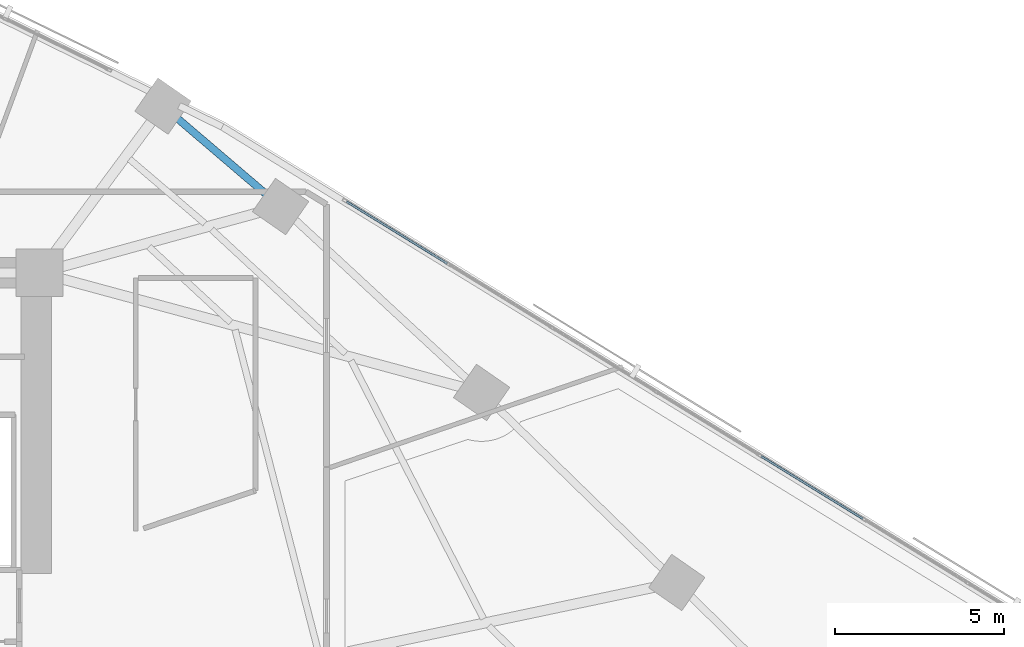
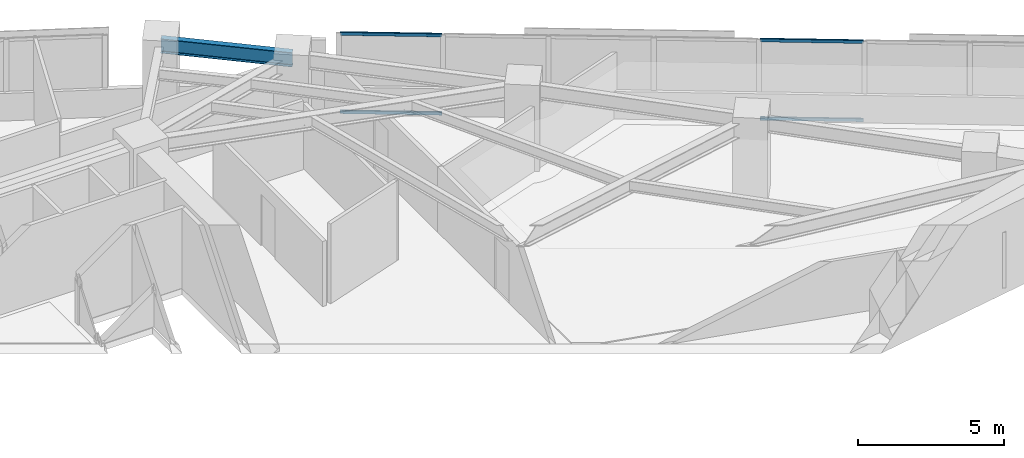
# One storey, part 7 of 18: 4 members, 1 beam, 1 element without a shape of its own.
"""IFC4 building model written with IfcOpenShell, lengths in metres."""

from ifc_helpers import new_model, si_unit, direction, frame, origin, origin_2d, place, context, subcontext, project, spatial, hollow_rectangle, i_section, extrude, material, material_profile, profile_set, type_object, element, aggregate, save


model = new_model("IFC4")

# Units and contexts
model_context = context("Model", 3, precision=1e-05, world=origin(), true_north=direction((0.0, 1.0)))
body_context = subcontext(model_context, "Body", "Model", "MODEL_VIEW")
ifc_project = project(units=[si_unit("LENGTHUNIT", "METRE"), si_unit("AREAUNIT", "SQUARE_METRE"), si_unit("VOLUMEUNIT", "CUBIC_METRE"), si_unit("PLANEANGLEUNIT", "RADIAN"), si_unit("MASSUNIT", "GRAM", prefix="KILO")], contexts=[model_context])

# Site, building, storey
site_placement = place(None, origin())
site = spatial("IfcSite", under=ifc_project, at=site_placement, CompositionType="ELEMENT")
building_placement = place(site_placement, origin())
building = spatial("IfcBuilding", under=site, at=building_placement, Name="Narakoshi Arena Tower", CompositionType="ELEMENT")
storey_placement = place(building_placement, frame((0.0, 0.0, 99.300048828125)))
storey = spatial("IfcBuildingStorey", under=building, at=storey_placement, Name="L26", CompositionType="ELEMENT", Elevation=99.300048828125)

# Beam
ifc_material_1 = material(Name="Structural steel S355J2", Category="steel")
ifc_material_profile_1 = material_profile(ifc_material_1, i_section(OverallWidth=0.219970703125, OverallDepth=0.60009765625, WebThickness=0.011962890625, FlangeThickness=0.01904296875, FilletRadius=0.02392578125, at=origin_2d()), Name="IPE600")
ifc_profile_set_1 = profile_set([ifc_material_profile_1], Name="Structural steel S355J2")
beam_type = type_object("IfcBeamType", Name="BM-EDGE-600", PredefinedType="BEAM", material=ifc_profile_set_1)
beam_placement = place(storey_placement, frame((92.68994140625, 58.462890625, 3.0400390625), z_axis=(-0.760410417533, 0.64944283575, 0.0), x_axis=(-0.64944283575, -0.760410417533, 0.0)))
element("IfcBeam", 1, at=beam_placement, inside=storey, type_object=beam_type, Name="L26 Perimeter Edge Girder 07", PredefinedType="BEAM", context=body_context, shape_type="SweptSolid", body=[
    extrude(i_section(OverallWidth=0.219970703125, OverallDepth=0.60009765625, WebThickness=0.011962890625, FlangeThickness=0.01904296875, FilletRadius=0.02392578125, at=origin_2d()), origin(), (0.0, 0.0, 1.0), 4.58056640625),
])

# Curtain wall, members
ifc_material_2 = material(Name="Anodised bronze aluminium 6063-T6", Category="aluminium")
curtain_wall_type = type_object("IfcCurtainWallType", Name="CW-HYP-LOW", PredefinedType="NOTDEFINED", material=ifc_material_2)
curtain_wall_placement = place(storey_placement, origin())
curtain_wall = element("IfcCurtainWall", 2, at=curtain_wall_placement, inside=storey, type_object=curtain_wall_type, Name="L26 Folded Hypotenuse Curtain Wall 1-1", PredefinedType="NOTDEFINED")
ifc_material_profile_2 = material_profile(ifc_material_2, hollow_rectangle(XDim=0.06494140625, YDim=0.1298828125, WallThickness=0.00390625, OuterFilletRadius=0.0048828125, at=origin_2d()), Name="TRN130x65x4")
ifc_profile_set_2 = profile_set([ifc_material_profile_2], Name="Anodised bronze aluminium 6063-T6")
member_type = type_object("IfcMemberType", Name="MEM-TRN-130", PredefinedType="USERDEFINED", material=ifc_profile_set_2)
member_1_placement = place(storey_placement, frame((109.931884765625, 49.218017578125, 0.032470703125), z_axis=(-0.852103699909, 0.523372988032, 0.0), x_axis=(-0.523372988032, -0.852103699909, 0.0)))
member_1 = element("IfcMember", 3, at=member_1_placement, type_object=member_type, Name="CW-01 transom 4.1", ObjectType="TRANSOM", PredefinedType="USERDEFINED", context=body_context, shape_type="SweptSolid", body=[
    extrude(hollow_rectangle(XDim=0.06494140625, YDim=0.1298828125, WallThickness=0.00390625, OuterFilletRadius=0.0048828125, at=origin_2d()), origin(), (0.0, 0.0, 1.0), 3.535888671875),
])
member_2_placement = place(storey_placement, frame((109.931884765625, 49.218017578125, 3.307373046875), z_axis=(-0.852103699909, 0.523372988032, 0.0), x_axis=(-0.523372988032, -0.852103699909, 0.0)))
member_2 = element("IfcMember", 4, at=member_2_placement, type_object=member_type, Name="CW-01 transom 4.2", ObjectType="TRANSOM", PredefinedType="USERDEFINED", context=body_context, shape_type="SweptSolid", body=[
    extrude(hollow_rectangle(XDim=0.06494140625, YDim=0.1298828125, WallThickness=0.00390625, OuterFilletRadius=0.0048828125, at=origin_2d()), origin(), (0.0, 0.0, 1.0), 3.535888671875),
])
member_3_placement = place(storey_placement, frame((97.624267578125, 56.777099609375, 0.032470703125), z_axis=(-0.852089324923, 0.52339639123, 0.0), x_axis=(-0.52339639123, -0.852089324923, 0.0)))
member_3 = element("IfcMember", 5, at=member_3_placement, type_object=member_type, Name="CW-01 transom 8.1", ObjectType="TRANSOM", PredefinedType="USERDEFINED", context=body_context, shape_type="SweptSolid", body=[
    extrude(hollow_rectangle(XDim=0.06494140625, YDim=0.1298828125, WallThickness=0.00390625, OuterFilletRadius=0.0048828125, at=origin_2d()), origin(), (0.0, 0.0, 1.0), 3.498291015625),
])
member_4_placement = place(storey_placement, frame((97.624267578125, 56.777099609375, 3.307373046875), z_axis=(-0.852089324923, 0.52339639123, 0.0), x_axis=(-0.52339639123, -0.852089324923, 0.0)))
member_4 = element("IfcMember", 6, at=member_4_placement, type_object=member_type, Name="CW-01 transom 8.2", ObjectType="TRANSOM", PredefinedType="USERDEFINED", context=body_context, shape_type="SweptSolid", body=[
    extrude(hollow_rectangle(XDim=0.06494140625, YDim=0.1298828125, WallThickness=0.00390625, OuterFilletRadius=0.0048828125, at=origin_2d()), origin(), (0.0, 0.0, 1.0), 3.498291015625),
])
aggregate(curtain_wall, [member_1, member_2, member_3, member_4])

save(model, "model.ifc")
